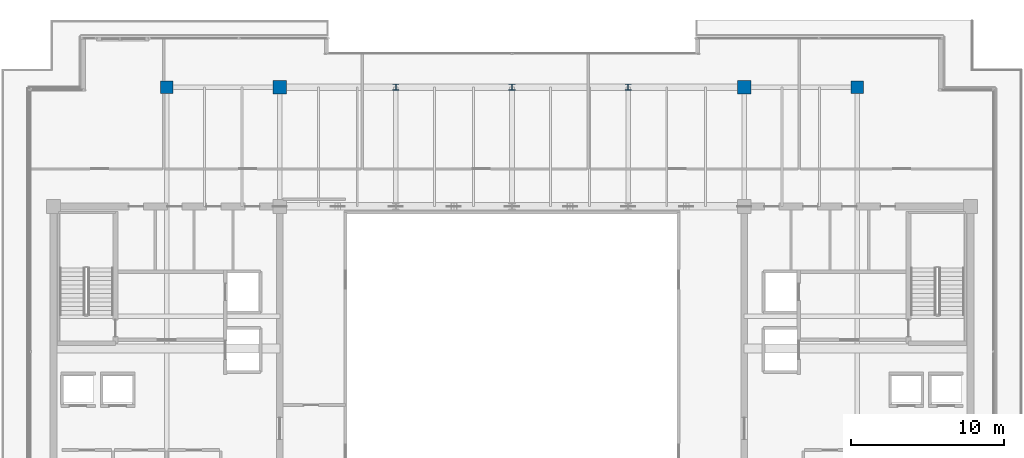
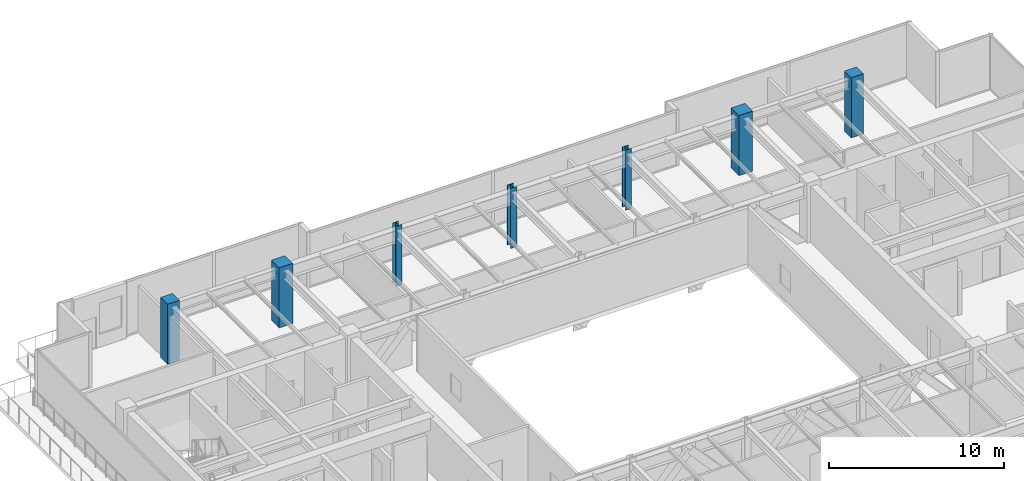
# One storey, part 3 of 34: 7 columns.
"""IFC4 building model written with IfcOpenShell, lengths in metres."""

from ifc_helpers import new_model, si_unit, direction, frame, origin, origin_2d, place, context, subcontext, project, spatial, rectangle, i_section, extrude, source, transform, mapped, material, material_profile, profile_set, type_object, type_shapes, element, save


model = new_model("IFC4")

# Units and contexts
model_context = context("Model", 3, precision=1e-05, world=origin(), true_north=direction((0.0, 1.0)))
body_context = subcontext(model_context, "Body", "Model", "MODEL_VIEW")
ifc_project = project(units=[si_unit("LENGTHUNIT", "METRE"), si_unit("AREAUNIT", "SQUARE_METRE"), si_unit("VOLUMEUNIT", "CUBIC_METRE"), si_unit("PLANEANGLEUNIT", "RADIAN"), si_unit("MASSUNIT", "GRAM", prefix="KILO")], contexts=[model_context])

# Site, building, storey
site_placement = place(None, origin())
site = spatial("IfcSite", under=ifc_project, at=site_placement, CompositionType="ELEMENT")
building_placement = place(site_placement, origin())
building = spatial("IfcBuilding", under=site, at=building_placement, Name="Haelvirn Gate Laboratories", CompositionType="ELEMENT")
storey_placement = place(building_placement, frame((0.0, 0.0, 297.60009765625)))
storey = spatial("IfcBuildingStorey", under=building, at=storey_placement, Name="L71", CompositionType="ELEMENT", Elevation=297.60009765625)

# Columns
ifc_material_1 = material(Name="Concrete C50/60", Category="concrete")
ifc_material_profile_1 = material_profile(ifc_material_1, rectangle(XDim=0.800048828125, YDim=0.800048828125, at=origin_2d()), Name="RC-800x800")
ifc_profile_set_1 = profile_set([ifc_material_profile_1], Name="Concrete C50/60")
column_type_1 = type_object("IfcColumnType", Name="COL-RC-800", PredefinedType="COLUMN", material=ifc_profile_set_1)
shared_shape_1 = source(origin(), body_context, "Body", "SweptSolid", [
    extrude(rectangle(XDim=0.800048828125, YDim=0.800048828125, at=origin_2d()), origin(), (0.0, 0.0, 1.0), 4.199951171875),
])
type_shapes(column_type_1, [shared_shape_1])
for number, where, z_axis, x_axis, name in (
    (1, (14.800048828125, 41.60009765625, 0.0), (0.0, 0.0, 1.0), (1.0, 0.0, 0.0), "L71 Column 3G"),
    (2, (60.0, 41.60009765625, 0.0), (0.0, 0.0, 1.0), (1.0, 0.0, 0.0), "L71 Column 9G"),
):
    element("IfcColumn", number, at=place(storey_placement, frame(where, z_axis=z_axis, x_axis=x_axis)), inside=storey, type_object=column_type_1, Name=name, PredefinedType="COLUMN", context=body_context, shape_type="MappedRepresentation", body=[
        mapped(shared_shape_1, transform((0.0, 0.0, 0.0), scale=1.0)),
    ])
ifc_material_profile_2 = material_profile(ifc_material_1, rectangle(XDim=0.89990234375, YDim=0.89990234375, at=origin_2d()), Name="RC-900x900")
ifc_profile_set_2 = profile_set([ifc_material_profile_2], Name="Concrete C50/60")
column_type_2 = type_object("IfcColumnType", Name="COL-RC-900", PredefinedType="COLUMN", material=ifc_profile_set_2)
shared_shape_2 = source(origin(), body_context, "Body", "SweptSolid", [
    extrude(rectangle(XDim=0.89990234375, YDim=0.89990234375, at=origin_2d()), origin(), (0.0, 0.0, 1.0), 4.199951171875),
])
type_shapes(column_type_2, [shared_shape_2])
for number, where, z_axis, x_axis, name in (
    (3, (22.199951171875, 41.60009765625, 0.0), (0.0, 0.0, 1.0), (1.0, 0.0, 0.0), "L71 Column 4G"),
    (4, (52.60009765625, 41.60009765625, 0.0), (0.0, 0.0, 1.0), (1.0, 0.0, 0.0), "L71 Column 8G"),
):
    element("IfcColumn", number, at=place(storey_placement, frame(where, z_axis=z_axis, x_axis=x_axis)), inside=storey, type_object=column_type_2, Name=name, PredefinedType="COLUMN", context=body_context, shape_type="MappedRepresentation", body=[
        mapped(shared_shape_2, transform((0.0, 0.0, 0.0), scale=1.0)),
    ])
ifc_material_2 = material(Name="Steel SM355", Category="steel")
ifc_material_profile_3 = material_profile(ifc_material_2, i_section(OverallWidth=0.39990234375, OverallDepth=0.39990234375, WebThickness=0.02099609375, FlangeThickness=0.02099609375, at=origin_2d()), Name="H-400x400x21x21")
ifc_profile_set_3 = profile_set([ifc_material_profile_3], Name="Steel SM355")
column_type_3 = type_object("IfcColumnType", Name="COL-H-400", PredefinedType="COLUMN", material=ifc_profile_set_3)
shared_shape_3 = source(origin(), body_context, "Body", "SweptSolid", [
    extrude(i_section(OverallWidth=0.39990234375, OverallDepth=0.39990234375, WebThickness=0.02099609375, FlangeThickness=0.02099609375, at=origin_2d()), origin(), (0.0, 0.0, 1.0), 4.199951171875),
])
type_shapes(column_type_3, [shared_shape_3])
for number, where, z_axis, x_axis, name in (
    (5, (29.800048828125, 41.60009765625, 0.0), (0.0, 0.0, 1.0), (1.0, 0.0, 0.0), "L71 Column 5G"),
    (6, (37.39990234375, 41.60009765625, 0.0), (0.0, 0.0, 1.0), (1.0, 0.0, 0.0), "L71 Column 6G"),
    (7, (45.0, 41.60009765625, 0.0), (0.0, 0.0, 1.0), (1.0, 0.0, 0.0), "L71 Column 7G"),
):
    element("IfcColumn", number, at=place(storey_placement, frame(where, z_axis=z_axis, x_axis=x_axis)), inside=storey, type_object=column_type_3, Name=name, PredefinedType="COLUMN", context=body_context, shape_type="MappedRepresentation", body=[
        mapped(shared_shape_3, transform((0.0, 0.0, 0.0), scale=1.0)),
    ])

save(model, "model.ifc")
